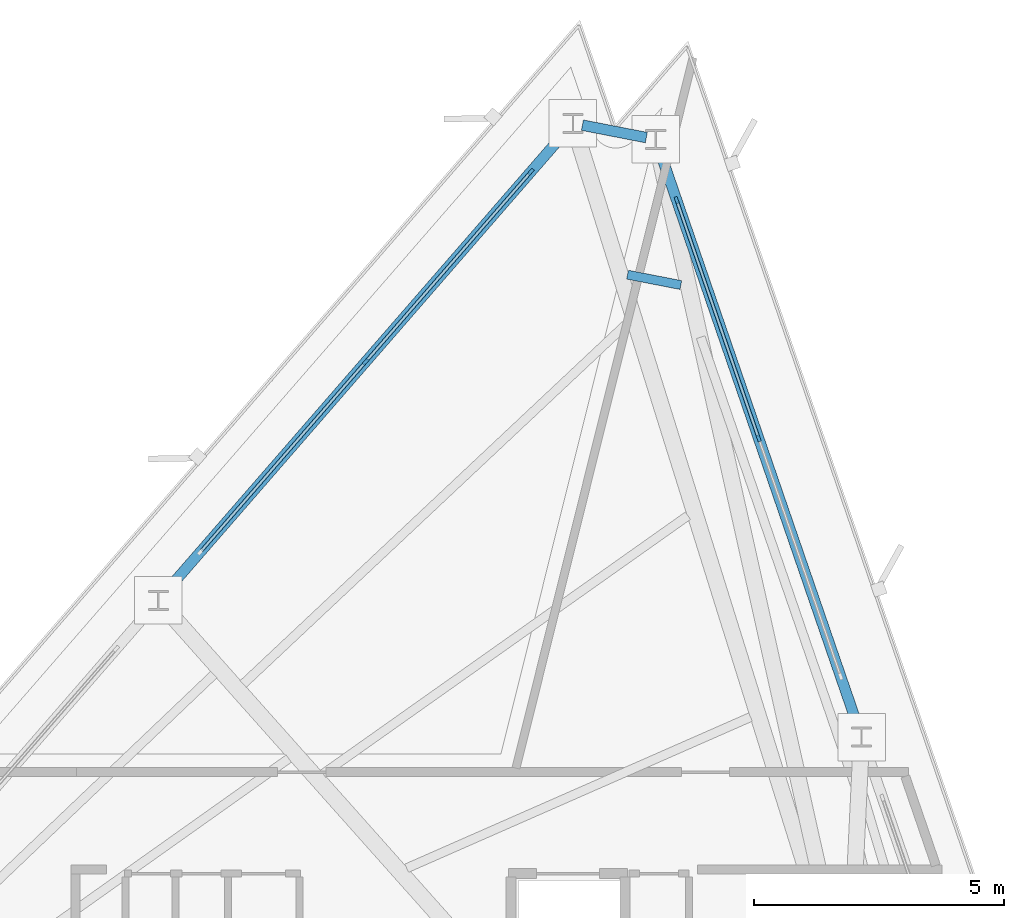
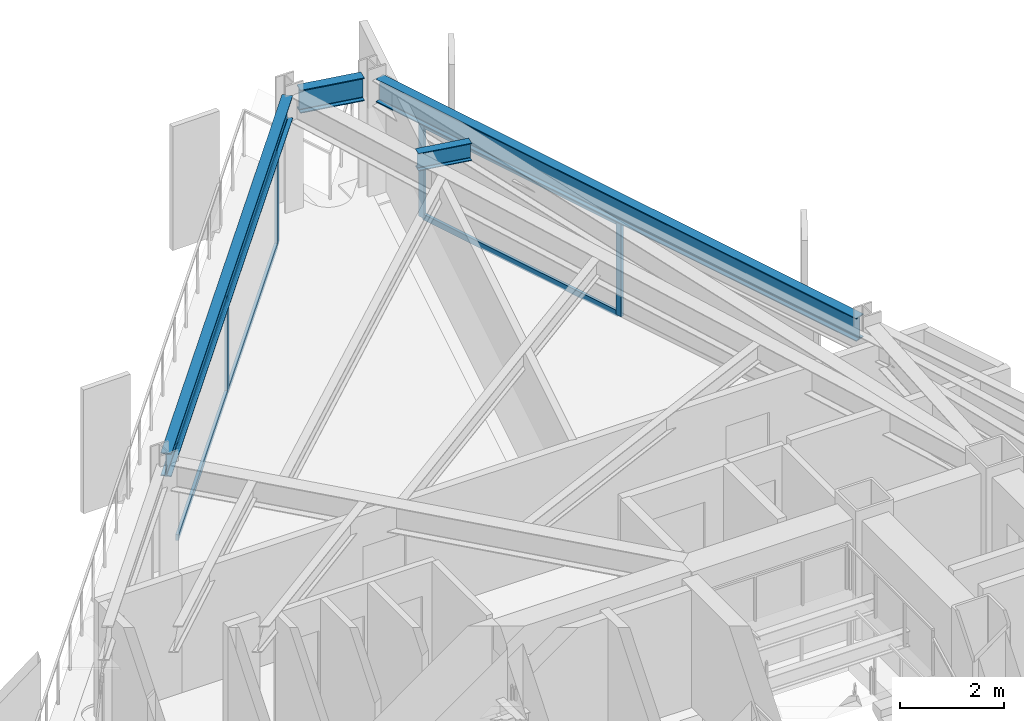
# One storey, part 7 of 13: 10 members, 4 beams, 2 elements without a shape of their own.
"""IFC4 building model written with IfcOpenShell, lengths in metres."""

import ifcopenshell
import ifcopenshell.guid

model = None  # the IFC model being written
_history = None  # IfcOwnerHistory: only IFC2X3 demands one
_inside = {}  # id of a spatial element -> (the spatial element, [elements in it])
_under = {}  # id of a project, library or spatial element -> (it, [spatial elements below it])
_declared = {}  # id of a project -> (the project, [libraries it declares])
_typed = {}  # id of a type object -> (the type object, [elements of that type])
_made_of = {}  # id of a material, layer set ... -> (it, [elements and type objects made of it])


def new_model(schema):
    """Start an empty IFC model of exactly this schema.

    Asked for "IFC4X3", IfcOpenShell would pick the latest addendum, in which some entities
    have other attributes; the version numbers below select the first issue.
    IFC2X3 requires an IfcOwnerHistory on every rooted entity: one is made here for all.
    """
    global model, _history
    if schema == "IFC4X3":
        model = ifcopenshell.file(schema_version=(4, 3, 0, 0))
    else:
        model = ifcopenshell.file(schema=schema)
    _inside.clear()
    _under.clear()
    _declared.clear()
    _typed.clear()
    _made_of.clear()
    _history = None
    if model.schema == "IFC2X3":
        org = make("IfcOrganization", Name="unknown")
        user = make(
            "IfcPersonAndOrganization",
            ThePerson=make("IfcPerson", FamilyName="unknown"),
            TheOrganization=org,
        )
        app = make(
            "IfcApplication",
            ApplicationDeveloper=org,
            Version="unknown",
            ApplicationFullName="unknown",
            ApplicationIdentifier="unknown",
        )
        _history = make(
            "IfcOwnerHistory",
            OwningUser=user,
            OwningApplication=app,
            ChangeAction="ADDED",
            CreationDate=0,
        )
    return model


def make(cls, **values):
    """One entity of the class cls with the attributes given. An attribute that is None is left unset."""
    return model.create_entity(
        cls, **{name: value for name, value in values.items() if value is not None}
    )


def rooted(cls, **values):
    """An entity with a GlobalId (a new one), such as an element, a storey or a relation."""
    return make(cls, GlobalId=ifcopenshell.guid.new(), OwnerHistory=_history, **values)


def si_unit(unit_type, name, prefix=None):
    """IfcSIUnit, for example si_unit("LENGTHUNIT", "METRE", prefix="MILLI")."""
    return make("IfcSIUnit", UnitType=unit_type, Prefix=prefix, Name=name)


def assignment(units):
    """IfcUnitAssignment: the units of a project."""
    return None if units is None else make("IfcUnitAssignment", Units=units)


def point(xyz):
    """IfcCartesianPoint."""
    return None if xyz is None else make("IfcCartesianPoint", Coordinates=xyz)


def direction(xyz):
    """IfcDirection."""
    return None if xyz is None else make("IfcDirection", DirectionRatios=xyz)


def frame(location, z_axis=None, x_axis=None):
    """IfcAxis2Placement3D, a coordinate frame: its origin and axes. An axis left out is left unset."""
    return make(
        "IfcAxis2Placement3D",
        Location=point(location),
        Axis=direction(z_axis),
        RefDirection=direction(x_axis),
    )


def frame_2d(location, x_axis=None):
    """IfcAxis2Placement2D, a coordinate frame in the plane: its origin and x axis."""
    return make(
        "IfcAxis2Placement2D", Location=point(location), RefDirection=direction(x_axis)
    )


def origin():
    """The frame at (0, 0, 0) with its axes left unset."""
    return frame((0.0, 0.0, 0.0))


def origin_2d():
    """The frame at (0, 0) in the plane with its x axis left unset."""
    return frame_2d((0.0, 0.0))


def place(relative_to, where):
    """IfcLocalPlacement: puts the frame where relative to a parent placement (None: the world)."""
    return make(
        "IfcLocalPlacement", PlacementRelTo=relative_to, RelativePlacement=where
    )


def context(
    kind, dimensions, precision=None, world=None, true_north=None, identifier=None
):
    """IfcGeometricRepresentationContext, for example the 3D "Model" context."""
    return make(
        "IfcGeometricRepresentationContext",
        ContextIdentifier=identifier,
        ContextType=kind,
        CoordinateSpaceDimension=dimensions,
        Precision=precision,
        WorldCoordinateSystem=world,
        TrueNorth=true_north,
    )


def subcontext(parent, identifier, kind, view, scale=None):
    """IfcGeometricRepresentationSubContext, for example "Body" below "Model"."""
    return make(
        "IfcGeometricRepresentationSubContext",
        ContextIdentifier=identifier,
        ContextType=kind,
        ParentContext=parent,
        TargetScale=scale,
        TargetView=view,
    )


def project(units=None, contexts=None):
    """IfcProject with its units and contexts."""
    return rooted(
        "IfcProject",
        Name="project",
        RepresentationContexts=contexts,
        UnitsInContext=assignment(units),
    )


def spatial(cls, under=None, at=None, **own):
    """A site, building, storey or space (cls), placed at a placement, below another one or the project."""
    s = rooted(cls, ObjectPlacement=at, **own)
    if under is not None:
        _under.setdefault(under.id(), (under, []))[1].append(s)
    return s


def profile(cls, at=None, kind="AREA", **sizes):
    """A parametric profile (cls). Its sizes go by their IFC names, for example OverallWidth=200.0."""
    return make(cls, ProfileType=kind, Position=at, **sizes)


def rectangle(**sizes):
    """IfcRectangleProfileDef."""
    return profile("IfcRectangleProfileDef", **sizes)


def i_section(**sizes):
    """IfcIShapeProfileDef."""
    return profile("IfcIShapeProfileDef", **sizes)


def extrude(swept, where, along, depth):
    """IfcExtrudedAreaSolid: the profile swept, set in the frame where, extruded along a direction by depth."""
    return make(
        "IfcExtrudedAreaSolid",
        SweptArea=swept,
        Position=where,
        ExtrudedDirection=direction(along),
        Depth=depth,
    )


def shape(context_of_items, identifier, shape_type, items):
    """IfcShapeRepresentation: the items that make up one representation, for example the "Body"."""
    return make(
        "IfcShapeRepresentation",
        ContextOfItems=context_of_items,
        RepresentationIdentifier=identifier,
        RepresentationType=shape_type,
        Items=items,
    )


def material(Name=None, Category=None):
    """IfcMaterial."""
    return make("IfcMaterial", Name=Name, Category=Category)


def layer(
    of_material, thickness, ventilated=None, Name=None, Category=None, Priority=None
):
    """IfcMaterialLayer: one layer of a wall or slab, of a material (None: an air gap)."""
    return make(
        "IfcMaterialLayer",
        Material=of_material,
        LayerThickness=thickness,
        IsVentilated=ventilated,
        Name=Name,
        Category=Category,
        Priority=Priority,
    )


def layer_set(layers, Name=None):
    """IfcMaterialLayerSet."""
    return make("IfcMaterialLayerSet", MaterialLayers=layers, LayerSetName=Name)


def material_profile(
    of_material, cross_section, Name=None, Category=None, Priority=None
):
    """IfcMaterialProfile: a cross section and its material."""
    return make(
        "IfcMaterialProfile",
        Name=Name,
        Material=of_material,
        Profile=cross_section,
        Priority=Priority,
        Category=Category,
    )


def profile_set(profiles, Name=None, composite=None):
    """IfcMaterialProfileSet."""
    return make(
        "IfcMaterialProfileSet",
        Name=Name,
        MaterialProfiles=profiles,
        CompositeProfile=composite,
    )


def made_of(thing, what):
    """Note that an element or type object is made of a material, layer set ...; save() writes the relation."""
    if what is not None:
        _made_of.setdefault(what.id(), (what, []))[1].append(thing)
    return thing


def type_object(cls, material=None, **own):
    """A type object (cls), such as IfcWallType, which elements share."""
    return made_of(rooted(cls, **own), material)


def element(
    cls,
    number,
    at=None,
    inside=None,
    cuts=None,
    type_object=None,
    material=None,
    context=None,
    identifier="Body",
    shape_type=None,
    held_by="IfcProductDefinitionShape",
    body=None,
    shapes=None,
    **own,
):
    """One element of the class cls, such as IfcWall. Its Tag is "e" and its number.

    at: its placement. inside: the storey or other place that contains it. cuts: it is an
    opening in that element (IfcRelVoidsElement). A single representation is given by context,
    identifier, shape_type and body (its items); several are given by shapes. held_by: the class
    of the entity that holds the representations. save() writes the other relations.
    """
    e = rooted(cls, Tag="e%d" % number, ObjectPlacement=at, **own)
    if body is not None:
        shapes = [shape(context, identifier, shape_type, body)]
    if shapes is not None:
        e.Representation = make(held_by, Representations=shapes)
    if inside is not None:
        _inside.setdefault(inside.id(), (inside, []))[1].append(e)
    if cuts is not None:
        rooted(
            "IfcRelVoidsElement", RelatingBuildingElement=cuts, RelatedOpeningElement=e
        )
    if type_object is not None:
        _typed.setdefault(type_object.id(), (type_object, []))[1].append(e)
    return made_of(e, material)


def aggregate(whole, parts):
    """IfcRelAggregates: a whole, such as a stair, and the parts it consists of."""
    return rooted("IfcRelAggregates", RelatingObject=whole, RelatedObjects=parts)


def save(model, path):
    """Write the relations noted so far, then the file.

    IfcRelAggregates (storeys below a building ...), IfcRelContainedInSpatialStructure (elements
    in a storey), IfcRelDefinesByType, IfcRelAssociatesMaterial and IfcRelDeclares: one each for
    every whole, place, type object, material and project.
    """
    for whole, parts in _under.values():
        aggregate(whole, parts)
    for where, things in _inside.values():
        rooted(
            "IfcRelContainedInSpatialStructure",
            RelatedElements=things,
            RelatingStructure=where,
        )
    for kind, things in _typed.values():
        rooted("IfcRelDefinesByType", RelatedObjects=things, RelatingType=kind)
    for what, things in _made_of.values():
        rooted("IfcRelAssociatesMaterial", RelatedObjects=things, RelatingMaterial=what)
    for by, libraries in _declared.values():
        rooted("IfcRelDeclares", RelatingContext=by, RelatedDefinitions=libraries)
    model.write(path)


model = new_model("IFC4")

# Units and contexts
model_context = context("Model", 3, precision=1e-05, world=origin(), true_north=direction((0.0, 1.0)))
body_context = subcontext(model_context, "Body", "Model", "MODEL_VIEW")
ifc_project = project(units=[si_unit("LENGTHUNIT", "METRE"), si_unit("AREAUNIT", "SQUARE_METRE"), si_unit("VOLUMEUNIT", "CUBIC_METRE"), si_unit("PLANEANGLEUNIT", "RADIAN"), si_unit("MASSUNIT", "GRAM", prefix="KILO")], contexts=[model_context])

# Site, building, storey
site_placement = place(None, origin())
site = spatial("IfcSite", under=ifc_project, at=site_placement, CompositionType="ELEMENT")
building_placement = place(site_placement, origin())
building = spatial("IfcBuilding", under=site, at=building_placement, Name="Rocaltana Carrier Exchange", CompositionType="ELEMENT")
storey_placement = place(building_placement, frame((0.0, 0.0, 147.199951171875)))
storey = spatial("IfcBuildingStorey", under=building, at=storey_placement, Name="L46", CompositionType="ELEMENT", Elevation=147.199951171875)

# Curtain wall, members
ifc_material_1 = material(Name="Aluminium 6063-T6", Category="aluminium")
ifc_layer = layer(ifc_material_1, 0.135009765625)
ifc_layer_set = layer_set([ifc_layer], Name="Aluminium 6063-T6")
curtain_wall_type = type_object("IfcCurtainWallType", Name="Upper-Mid Acoustic Curtain Wall CW-04", PredefinedType="NOTDEFINED", material=ifc_layer_set)
curtain_wall_1_placement = place(storey_placement, origin())
curtain_wall_1 = element("IfcCurtainWall", 1, at=curtain_wall_1_placement, inside=storey, type_object=curtain_wall_type, Name="L46 CW-04 Run CW-L46-F1S3", PredefinedType="NOTDEFINED")
ifc_material_2 = material(Name="Aluminium 6063-T6", Category="aluminium")
ifc_material_profile_1 = material_profile(ifc_material_2, rectangle(XDim=0.06494140625, YDim=0.135009765625, at=origin_2d()), Name="AL-65X135")
ifc_profile_set_1 = profile_set([ifc_material_profile_1], Name="Aluminium 6063-T6")
member_type_1 = type_object("IfcMemberType", Name="CW-04 Mullion AL-65X135", PredefinedType="MULLION", material=ifc_profile_set_1)
member_1_placement = place(storey_placement, frame((7.151611328125, 15.82373046875, 0.0), z_axis=(0.0, 0.0, 1.0), x_axis=(-0.945521800517, -0.325558788464, 0.0)))
member_1 = element("IfcMember", 2, at=member_1_placement, type_object=member_type_1, Name="CW-04 mullion 2", PredefinedType="MULLION", context=body_context, shape_type="SweptSolid", body=[
    extrude(rectangle(XDim=0.06494140625, YDim=0.135009765625, at=origin_2d()), origin(), (0.0, 0.0, 1.0), 2.218017578125),
])
member_2_placement = place(storey_placement, frame((5.5126953125, 20.583740234375, 0.0), z_axis=(0.0, 0.0, 1.0), x_axis=(-0.945521800517, -0.325558788464, 0.0)))
member_2 = element("IfcMember", 3, at=member_2_placement, type_object=member_type_1, Name="CW-04 mullion 3", PredefinedType="MULLION", context=body_context, shape_type="SweptSolid", body=[
    extrude(rectangle(XDim=0.06494140625, YDim=0.135009765625, at=origin_2d()), origin(), (0.0, 0.0, 1.0), 2.218017578125),
])

curtain_wall_2_placement = place(storey_placement, origin())
curtain_wall_2 = element("IfcCurtainWall", 4, at=curtain_wall_2_placement, inside=storey, type_object=curtain_wall_type, Name="L46 CW-04 Run CW-L46-F2S1", PredefinedType="NOTDEFINED")
member_3_placement = place(storey_placement, frame((2.599609375, 21.14990234375, 0.0), z_axis=(0.0, 0.0, 1.0), x_axis=(0.75471173919, -0.656056545375, 0.0)))
member_3 = element("IfcMember", 5, at=member_3_placement, type_object=member_type_1, Name="CW-04 mullion 1", PredefinedType="MULLION", context=body_context, shape_type="SweptSolid", body=[
    extrude(rectangle(XDim=0.06494140625, YDim=0.135009765625, at=origin_2d()), origin(), (0.0, 0.0, 1.0), 2.218017578125),
])
member_4_placement = place(storey_placement, frame((-0.703125, 17.3505859375, 0.0), z_axis=(0.0, 0.0, 1.0), x_axis=(0.75471173919, -0.656056545375, 0.0)))
member_4 = element("IfcMember", 6, at=member_4_placement, type_object=member_type_1, Name="CW-04 mullion 2", PredefinedType="MULLION", context=body_context, shape_type="SweptSolid", body=[
    extrude(rectangle(XDim=0.06494140625, YDim=0.135009765625, at=origin_2d()), origin(), (0.0, 0.0, 1.0), 2.218017578125),
])

# Member
ifc_material_3 = material(Name="Aluminium 6063-T6", Category="aluminium")
ifc_material_profile_2 = material_profile(ifc_material_3, rectangle(XDim=0.06494140625, YDim=0.135009765625, at=origin_2d()), Name="AL-65X135")
ifc_profile_set_2 = profile_set([ifc_material_profile_2], Name="Aluminium 6063-T6")
member_type_2 = type_object("IfcMemberType", Name="CW-04 Transom AL-65X135", PredefinedType="USERDEFINED", material=ifc_profile_set_2)
member_5_placement = place(storey_placement, frame((7.140869140625, 15.8544921875, 0.032470703125), z_axis=(-0.325542462737, 0.945527421578, 0.0), x_axis=(-0.945527421578, -0.325542462737, 0.0)))
member_5 = element("IfcMember", 7, at=member_5_placement, type_object=member_type_2, Name="CW-04 transom 2.1", ObjectType="TRANSOM", PredefinedType="USERDEFINED", context=body_context, shape_type="SweptSolid", body=[
    extrude(rectangle(XDim=0.06494140625, YDim=0.135009765625, at=origin_2d()), origin(), (0.0, 0.0, 1.0), 4.96923828125),
])

member_6_placement = place(storey_placement, frame((7.140869140625, 15.8544921875, 2.185546875), z_axis=(-0.325542462737, 0.945527421578, 0.0), x_axis=(-0.945527421578, -0.325542462737, 0.0)))
member_6 = element("IfcMember", 8, at=member_6_placement, type_object=member_type_2, Name="CW-04 transom 2.2", ObjectType="TRANSOM", PredefinedType="USERDEFINED", context=body_context, shape_type="SweptSolid", body=[
    extrude(rectangle(XDim=0.06494140625, YDim=0.135009765625, at=origin_2d()), origin(), (0.0, 0.0, 1.0), 4.96923828125),
])

aggregate(curtain_wall_1, [member_1, member_2, member_5, member_6])

member_7_placement = place(storey_placement, frame((2.578369140625, 21.125244140625, 0.032470703125), z_axis=(-0.656083834105, -0.75468801675, 0.0), x_axis=(0.75468801675, -0.656083834105, 0.0)))
member_7 = element("IfcMember", 9, at=member_7_placement, type_object=member_type_2, Name="CW-04 transom 1.1", ObjectType="TRANSOM", PredefinedType="USERDEFINED", context=body_context, shape_type="SweptSolid", body=[
    extrude(rectangle(XDim=0.06494140625, YDim=0.135009765625, at=origin_2d()), origin(), (0.0, 0.0, 1.0), 4.96923828125),
])

member_8_placement = place(storey_placement, frame((2.578369140625, 21.125244140625, 2.185546875), z_axis=(-0.656083834105, -0.75468801675, 0.0), x_axis=(0.75468801675, -0.656083834105, 0.0)))
member_8 = element("IfcMember", 10, at=member_8_placement, type_object=member_type_2, Name="CW-04 transom 1.2", ObjectType="TRANSOM", PredefinedType="USERDEFINED", context=body_context, shape_type="SweptSolid", body=[
    extrude(rectangle(XDim=0.06494140625, YDim=0.135009765625, at=origin_2d()), origin(), (0.0, 0.0, 1.0), 4.96923828125),
])

member_9_placement = place(storey_placement, frame((-0.724365234375, 17.325927734375, 0.032470703125), z_axis=(-0.656055850486, -0.754712343243, 0.0), x_axis=(0.754712343243, -0.656055850486, 0.0)))
member_9 = element("IfcMember", 11, at=member_9_placement, type_object=member_type_2, Name="CW-04 transom 2.1", ObjectType="TRANSOM", PredefinedType="USERDEFINED", context=body_context, shape_type="SweptSolid", body=[
    extrude(rectangle(XDim=0.06494140625, YDim=0.135009765625, at=origin_2d()), origin(), (0.0, 0.0, 1.0), 4.968994140625),
])

member_10_placement = place(storey_placement, frame((-0.724365234375, 17.325927734375, 2.185546875), z_axis=(-0.656055850486, -0.754712343243, 0.0), x_axis=(0.754712343243, -0.656055850486, 0.0)))
member_10 = element("IfcMember", 12, at=member_10_placement, type_object=member_type_2, Name="CW-04 transom 2.2", ObjectType="TRANSOM", PredefinedType="USERDEFINED", context=body_context, shape_type="SweptSolid", body=[
    extrude(rectangle(XDim=0.06494140625, YDim=0.135009765625, at=origin_2d()), origin(), (0.0, 0.0, 1.0), 4.968994140625),
])

aggregate(curtain_wall_2, [member_3, member_4, member_7, member_8, member_9, member_10])

# Beams
ifc_material_4 = material(Name="Steel S355", Category="steel")
ifc_material_profile_3 = material_profile(ifc_material_4, i_section(OverallWidth=0.179931640625, OverallDepth=0.4130859375, WebThickness=0.009765625, FlangeThickness=0.01611328125, FilletRadius=0.012939453125, at=origin_2d()), Name="W16X50")
ifc_profile_set_3 = profile_set([ifc_material_profile_3], Name="Steel S355")
beam_type_1 = type_object("IfcBeamType", Name="Floor Joist W16X50", PredefinedType="JOIST", material=ifc_profile_set_3)
beam_1_placement = place(storey_placement, frame((5.59716796875, 18.8857421875, 2.58154296875), z_axis=(-0.981629422322, 0.190797477004, 0.0), x_axis=(-0.190797477004, -0.981629422322, 0.0)))
element("IfcBeam", 13, at=beam_1_placement, inside=storey, type_object=beam_type_1, Name="FJ-L46-04-3", PredefinedType="JOIST", context=body_context, shape_type="SweptSolid", body=[
    extrude(i_section(OverallWidth=0.179931640625, OverallDepth=0.4130859375, WebThickness=0.009765625, FlangeThickness=0.01611328125, FilletRadius=0.012939453125, at=origin_2d()), origin(), (0.0, 0.0, 1.0), 1.08642578125),
])
ifc_material_5 = material(Name="Steel S355", Category="steel")
ifc_material_profile_4 = material_profile(ifc_material_5, i_section(OverallWidth=0.2119140625, OverallDepth=0.5439453125, WebThickness=0.01318359375, FlangeThickness=0.021240234375, FilletRadius=0.014892578125, at=origin_2d()), Name="W21X83")
ifc_profile_set_4 = profile_set([ifc_material_profile_4], Name="Steel S355")
beam_type_2 = type_object("IfcBeamType", Name="Spandrel Edge Beam W21X83", PredefinedType="SPANDREL", material=ifc_profile_set_4)
beam_2_placement = place(storey_placement, frame((9.145751953125, 10.0322265625, 2.51611328125), z_axis=(-0.32558099518, 0.945514154086, 0.0), x_axis=(-0.945514154086, -0.32558099518, 0.0)))
element("IfcBeam", 14, at=beam_2_placement, inside=storey, type_object=beam_type_2, Name="SP-L46-03", PredefinedType="SPANDREL", context=body_context, shape_type="SweptSolid", body=[
    extrude(i_section(OverallWidth=0.2119140625, OverallDepth=0.5439453125, WebThickness=0.01318359375, FlangeThickness=0.021240234375, FilletRadius=0.014892578125, at=origin_2d()), origin(), (0.0, 0.0, 1.0), 12.25048828125),
])
beam_3_placement = place(storey_placement, frame((4.906982421875, 21.832763671875, 2.51611328125), z_axis=(-0.981612461895, 0.190884715608, 0.0), x_axis=(-0.190884715608, -0.981612461895, 0.0)))
element("IfcBeam", 15, at=beam_3_placement, inside=storey, type_object=beam_type_2, Name="SP-L46-04", PredefinedType="SPANDREL", context=body_context, shape_type="SweptSolid", body=[
    extrude(i_section(OverallWidth=0.2119140625, OverallDepth=0.5439453125, WebThickness=0.01318359375, FlangeThickness=0.021240234375, FilletRadius=0.014892578125, at=origin_2d()), origin(), (0.0, 0.0, 1.0), 1.302001953125),
])
beam_4_placement = place(storey_placement, frame((3.3154296875, 21.973388671875, 2.51611328125), z_axis=(-0.65606029169, -0.754708482573, 0.0), x_axis=(0.754708482573, -0.65606029169, 0.0)))
element("IfcBeam", 16, at=beam_4_placement, inside=storey, type_object=beam_type_2, Name="SP-L46-05", PredefinedType="SPANDREL", context=body_context, shape_type="SweptSolid", body=[
    extrude(i_section(OverallWidth=0.2119140625, OverallDepth=0.5439453125, WebThickness=0.01318359375, FlangeThickness=0.021240234375, FilletRadius=0.014892578125, at=origin_2d()), origin(), (0.0, 0.0, 1.0), 12.25048828125),
])

save(model, "model.ifc")
